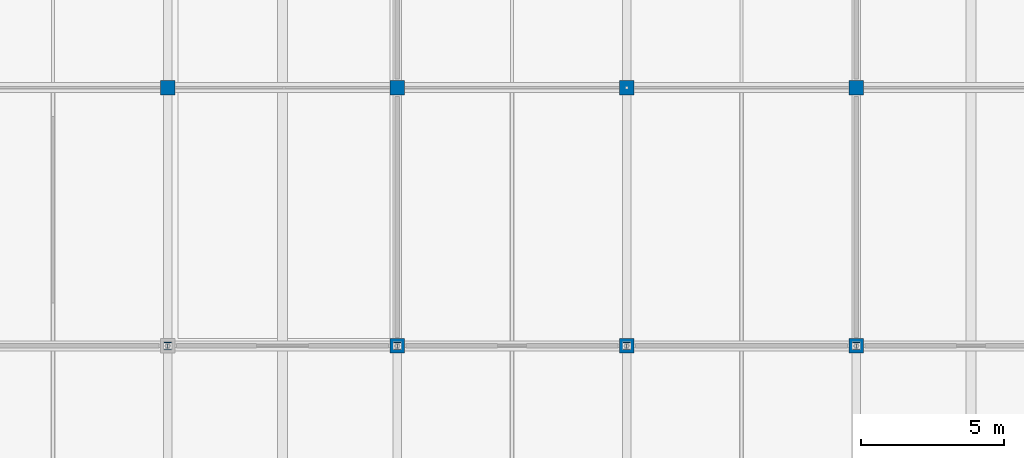
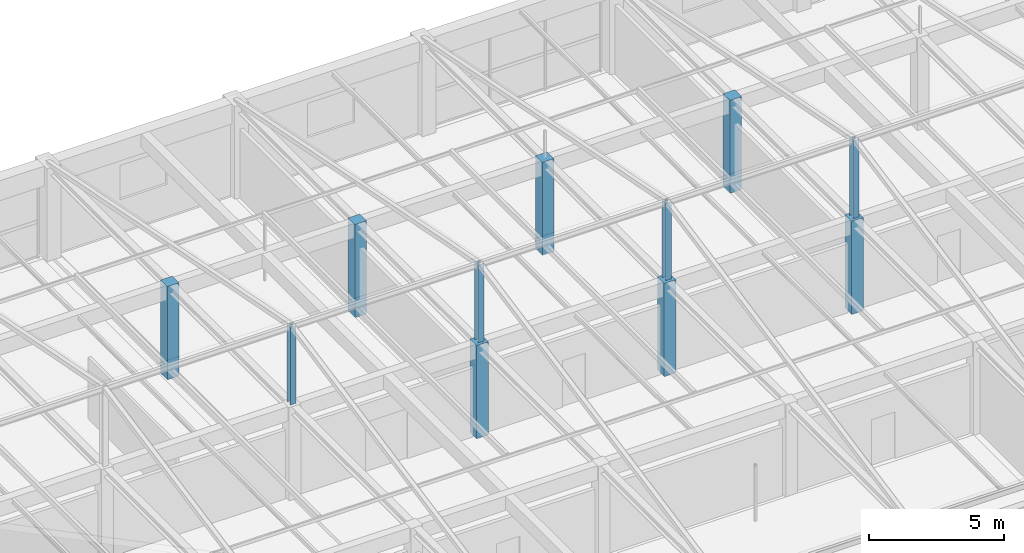
# One storey, part 4 of 65: 11 columns.
"""IFC4 building model written with IfcOpenShell, lengths in metres."""

from ifc_helpers import new_model, si_unit, direction, frame, origin, origin_2d, place, context, subcontext, project, spatial, rectangle, i_section, extrude, material, material_profile, profile_set, type_object, element, save


model = new_model("IFC4")

# Units and contexts
model_context = context("Model", 3, precision=1e-05, world=origin(), true_north=direction((0.0, 1.0)))
body_context = subcontext(model_context, "Body", "Model", "MODEL_VIEW")
ifc_project = project(units=[si_unit("LENGTHUNIT", "METRE"), si_unit("AREAUNIT", "SQUARE_METRE"), si_unit("VOLUMEUNIT", "CUBIC_METRE"), si_unit("PLANEANGLEUNIT", "RADIAN"), si_unit("MASSUNIT", "GRAM", prefix="KILO")], contexts=[model_context])

# Site, building, storey
site_placement = place(None, origin())
site = spatial("IfcSite", under=ifc_project, at=site_placement, CompositionType="ELEMENT")
building_placement = place(site_placement, origin())
building = spatial("IfcBuilding", under=site, at=building_placement, Name="Varnabhumi Central Station", CompositionType="ELEMENT")
storey_placement = place(building_placement, frame((0.0, 0.0, 24.60009765625)))
storey = spatial("IfcBuildingStorey", under=building, at=storey_placement, Name="L05", CompositionType="ELEMENT", Elevation=24.60009765625)

# Columns
ifc_material_1 = material(Name="Structural steel E350", Category="steel")
ifc_material_profile_1 = material_profile(ifc_material_1, i_section(OverallWidth=0.25, OverallDepth=0.25, WebThickness=0.0087890625, FlangeThickness=0.009765625, FilletRadius=0.010009765625, at=origin_2d()), Name="Structural steel E350", Category="steel")
ifc_profile_set_1 = profile_set([ifc_material_profile_1], Name="Structural steel E350")
column_type_1 = type_object("IfcColumnType", Name="COL-STL-ISHB250", PredefinedType="COLUMN", material=ifc_profile_set_1)
for number, where, z_axis, x_axis, name in (
    (1, (64.0, 18.0, 4.199951171875), (0.0, 0.0, 1.0), (1.0, 0.0, 0.0), "Roof Ridge King-Post SW6E-5"),
    (2, (72.0, 18.0, 4.199951171875), (0.0, 0.0, 1.0), (1.0, 0.0, 0.0), "Roof Ridge King-Post SW6E-6"),
    (3, (80.0, 18.0, 4.199951171875), (0.0, 0.0, 1.0), (1.0, 0.0, 0.0), "Roof Ridge King-Post SW6E-7"),
    (4, (88.0, 18.0, 4.199951171875), (0.0, 0.0, 1.0), (1.0, 0.0, 0.0), "Roof Ridge King-Post SW6E-8"),
):
    element("IfcColumn", number, at=place(storey_placement, frame(where, z_axis=z_axis, x_axis=x_axis)), inside=storey, type_object=column_type_1, Name=name, PredefinedType="COLUMN", context=body_context, shape_type="SweptSolid", body=[
        extrude(i_section(OverallWidth=0.25, OverallDepth=0.25, WebThickness=0.0087890625, FlangeThickness=0.009765625, FilletRadius=0.010009765625, at=origin_2d()), origin(), (0.0, 0.0, 1.0), 3.5),
    ])
ifc_material_2 = material(Name="Concrete M40", Category="concrete")
ifc_material_profile_2 = material_profile(ifc_material_2, rectangle(XDim=0.5, YDim=0.5, at=origin_2d()), Name="Concrete M40", Category="concrete")
ifc_profile_set_2 = profile_set([ifc_material_profile_2], Name="Concrete M40")
column_type_2 = type_object("IfcColumnType", Name="COL-UPPER-500", PredefinedType="COLUMN", material=ifc_profile_set_2)
for number, where, z_axis, x_axis, name in (
    (5, (64.0, 27.0, 0.0), (0.0, 0.0, 1.0), (1.0, 0.0, 0.0), "Column L05-9D"),
    (6, (72.0, 18.0, 0.0), (0.0, 0.0, 1.0), (1.0, 0.0, 0.0), "Column L05-10C"),
    (7, (72.0, 27.0, 0.0), (0.0, 0.0, 1.0), (1.0, 0.0, 0.0), "Column L05-10D"),
    (8, (80.0, 18.0, 0.0), (0.0, 0.0, 1.0), (1.0, 0.0, 0.0), "Column L05-11C"),
    (9, (80.0, 27.0, 0.0), (0.0, 0.0, 1.0), (1.0, 0.0, 0.0), "Column L05-11D"),
    (10, (88.0, 18.0, 0.0), (0.0, 0.0, 1.0), (1.0, 0.0, 0.0), "Column L05-12C"),
    (11, (88.0, 27.0, 0.0), (0.0, 0.0, 1.0), (1.0, 0.0, 0.0), "Column L05-12D"),
):
    element("IfcColumn", number, at=place(storey_placement, frame(where, z_axis=z_axis, x_axis=x_axis)), inside=storey, type_object=column_type_2, Name=name, PredefinedType="COLUMN", context=body_context, shape_type="SweptSolid", body=[
        extrude(rectangle(XDim=0.5, YDim=0.5, at=origin_2d()), origin(), (0.0, 0.0, 1.0), 4.199951171875),
    ])

save(model, "model.ifc")
